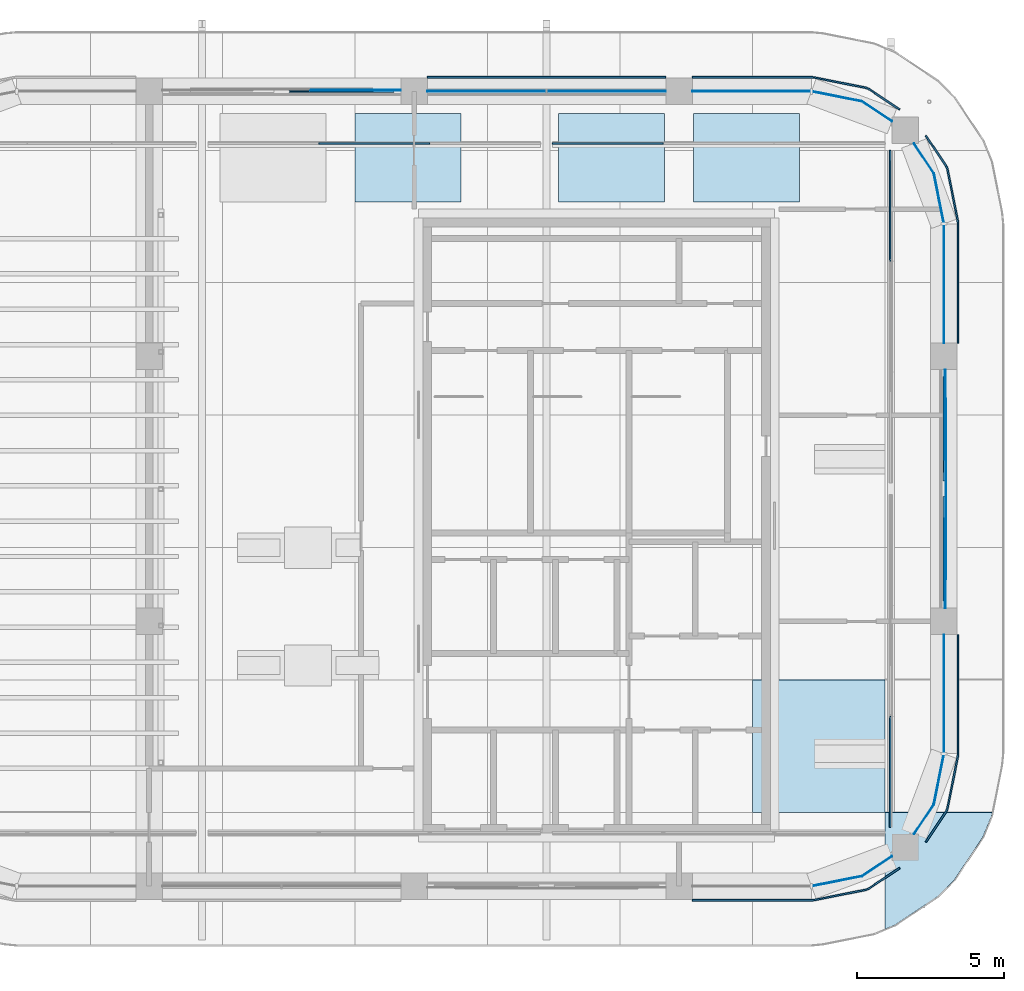
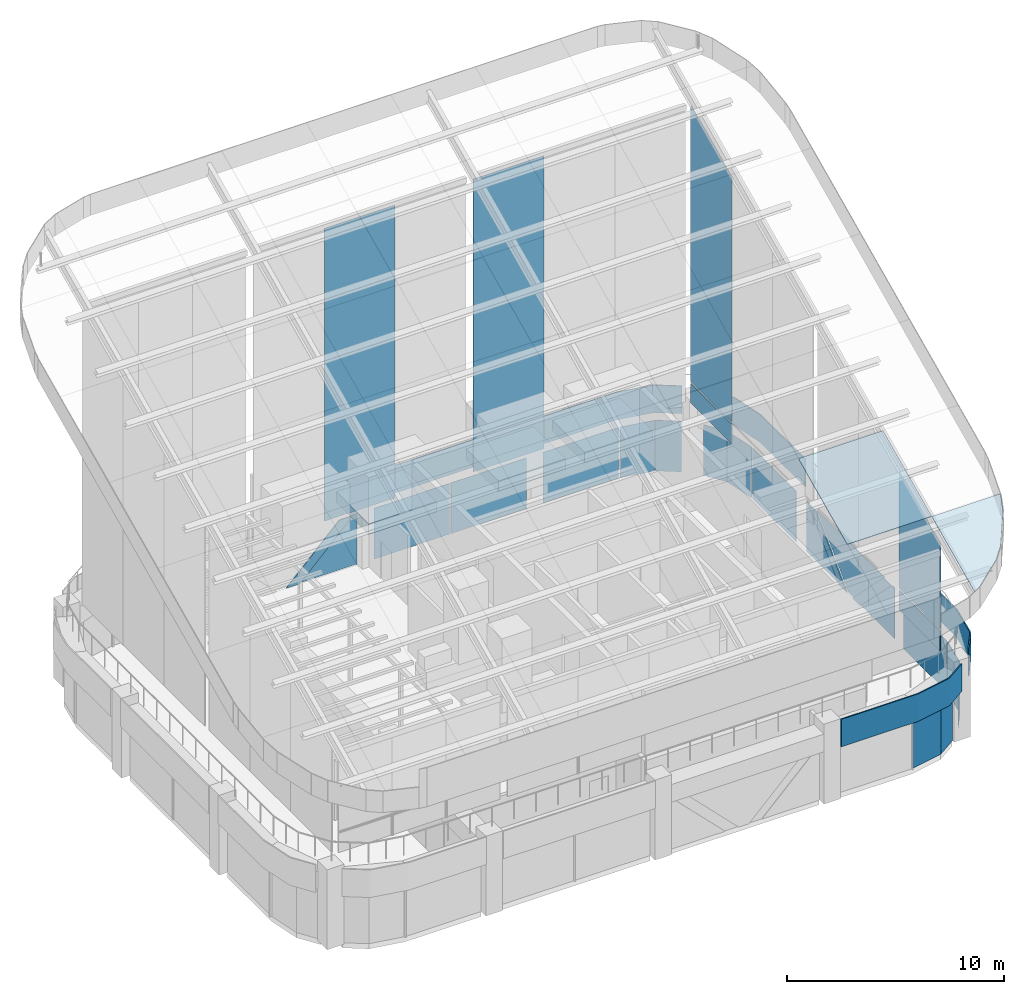
# One storey, part 23 of 31: 29 plates, 3 slabs, 7 elements without a shape of their own.
"""IFC4 building model written with IfcOpenShell, lengths in metres."""

from ifc_helpers import new_model, si_unit, direction, frame, origin, origin_2d, place, context, subcontext, project, spatial, polyline, rectangle, outline, extrude, material, layer, layer_set, type_object, element, aggregate, save


model = new_model("IFC4")

# Units and contexts
model_context = context("Model", 3, precision=1e-05, world=origin(), true_north=direction((0.0, 1.0)))
body_context = subcontext(model_context, "Body", "Model", "MODEL_VIEW")
ifc_project = project(units=[si_unit("LENGTHUNIT", "METRE"), si_unit("AREAUNIT", "SQUARE_METRE"), si_unit("VOLUMEUNIT", "CUBIC_METRE"), si_unit("PLANEANGLEUNIT", "RADIAN"), si_unit("MASSUNIT", "GRAM", prefix="KILO")], contexts=[model_context])

# Site, building, storey
site_placement = place(None, origin())
site = spatial("IfcSite", under=ifc_project, at=site_placement, CompositionType="ELEMENT")
building_placement = place(site_placement, origin())
building = spatial("IfcBuilding", under=site, at=building_placement, Name="Tessera Arch", CompositionType="ELEMENT")
storey_placement = place(building_placement, frame((0.0, 0.0, 320.699951171875)))
storey = spatial("IfcBuildingStorey", under=building, at=storey_placement, Name="L77", CompositionType="ELEMENT", Elevation=320.699951171875)

# Curtain wall, plates
ifc_material_1 = material(Name="CW1 curtain wall")
curtain_wall_type_1 = type_object("IfcCurtainWallType", Name="CW1 curtain wall", PredefinedType="NOTDEFINED", material=ifc_material_1)
curtain_wall_1_placement = place(storey_placement, origin())
curtain_wall_1 = element("IfcCurtainWall", 1, at=curtain_wall_1_placement, inside=storey, type_object=curtain_wall_type_1, Name="CW1 curtain wall N54.18/1 L77", PredefinedType="NOTDEFINED")
ifc_material_2 = material(Name="Clear low-e glass", Category="glass")
ifc_material_3 = material(Name="Clear low-e glass", Category="glass")
ifc_layer_1 = layer(ifc_material_3, 0.028076171875)
ifc_layer_set_1 = layer_set([ifc_layer_1], Name="CW1 glass panel")
plate_type_1 = type_object("IfcPlateType", Name="CW1 glass panel", PredefinedType="CURTAIN_PANEL", material=ifc_layer_set_1)
plate_1_placement = place(storey_placement, frame((42.5400390625, 54.0, 0.0), z_axis=(0.0, 0.0, 1.0), x_axis=(-1.0, 0.0, 0.0)))
plate_1 = element("IfcPlate", 2, at=plate_1_placement, type_object=plate_type_1, material=ifc_material_2, Name="CW1 glass panel N54.18/1 1.1.1", PredefinedType="CURTAIN_PANEL", context=body_context, shape_type="SweptSolid", body=[
    extrude(rectangle(XDim=4.02001953125, YDim=0.028076171875, at=origin_2d()), origin(), (0.0, 0.0, 1.0), 2.85009765625),
])
plate_2_placement = place(storey_placement, frame((38.4599609375, 54.0, 0.0), z_axis=(0.0, 0.0, 1.0), x_axis=(-1.0, 0.0, 0.0)))
plate_2 = element("IfcPlate", 3, at=plate_2_placement, type_object=plate_type_1, material=ifc_material_2, Name="CW1 glass panel N54.18/1 1.2.1", PredefinedType="CURTAIN_PANEL", context=body_context, shape_type="SweptSolid", body=[
    extrude(rectangle(XDim=4.02001953125, YDim=0.028076171875, at=origin_2d()), origin(), (0.0, 0.0, 1.0), 2.85009765625),
])
ifc_material_4 = material(Name="Pale anodised aluminium panel", Category="aluminium")
ifc_layer_2 = layer(ifc_material_4, 0.06005859375)
ifc_layer_set_2 = layer_set([ifc_layer_2], Name="CW1 spandrel panel")
plate_type_2 = type_object("IfcPlateType", Name="CW1 spandrel panel", PredefinedType="CURTAIN_PANEL", material=ifc_layer_set_2)
plate_3_placement = place(storey_placement, frame((40.5, 54.47998046875, 2.9501953125), z_axis=(0.0, 0.0, 1.0), x_axis=(-1.0, 0.0, 0.0)))
plate_3 = element("IfcPlate", 4, at=plate_3_placement, type_object=plate_type_2, Name="CW1 spandrel panel N54.18/1", PredefinedType="CURTAIN_PANEL", context=body_context, shape_type="SweptSolid", body=[
    extrude(rectangle(XDim=8.10009765625, YDim=0.06005859375, at=origin_2d()), origin(), (0.0, 0.0, 1.0), 1.550048828125),
])
aggregate(curtain_wall_1, [plate_1, plate_2, plate_3])

ifc_material_5 = material(Name="CW2 curtain wall")
curtain_wall_type_2 = type_object("IfcCurtainWallType", Name="CW2 curtain wall", PredefinedType="NOTDEFINED", material=ifc_material_5)
curtain_wall_2_placement = place(storey_placement, origin())
curtain_wall_2 = element("IfcCurtainWall", 5, at=curtain_wall_2_placement, inside=storey, type_object=curtain_wall_type_2, Name="CW2 curtain wall E54.27/1 L77", PredefinedType="NOTDEFINED")
ifc_material_6 = material(Name="Clear low-e glass", Category="glass")
ifc_layer_3 = layer(ifc_material_6, 0.028076171875)
ifc_layer_set_3 = layer_set([ifc_layer_3], Name="CW2 glass panel")
plate_type_3 = type_object("IfcPlateType", Name="CW2 glass panel", PredefinedType="CURTAIN_PANEL", material=ifc_layer_set_3)
plate_4_placement = place(storey_placement, frame((54.0, 47.455078125, 0.0), z_axis=(0.0, 0.0, 1.0), x_axis=(0.0, 1.0, 0.0)))
plate_4 = element("IfcPlate", 6, at=plate_4_placement, type_object=plate_type_3, material=ifc_material_2, Name="CW2 glass panel E54.27/1 1.1", PredefinedType="CURTAIN_PANEL", context=body_context, shape_type="SweptSolid", body=[
    extrude(rectangle(XDim=4.010009765625, YDim=0.028076171875, at=origin_2d()), origin(), (0.0, 0.0, 1.0), 2.85009765625),
])
plate_5_placement = place(storey_placement, origin())
plate_5 = element("IfcPlate", 7, at=plate_5_placement, type_object=plate_type_3, material=ifc_material_2, Name="CW2 curved glass panel E54.27/1 2.1", PredefinedType="CURTAIN_PANEL", context=body_context, shape_type="SweptSolid", body=[
    extrude(outline(polyline([(53.644287109375, 51.216552734375), (53.978515625, 49.53662109375), (54.005859375, 49.5419921875), (53.670654296875, 51.2275390625), (52.994384765625, 52.23974609375), (52.970947265625, 52.22412109375), (53.644287109375, 51.216552734375)])), origin(), (0.0, 0.0, 1.0), 2.85009765625),
])

curtain_wall_3_placement = place(storey_placement, origin())
curtain_wall_3 = element("IfcCurtainWall", 8, at=curtain_wall_3_placement, inside=storey, type_object=curtain_wall_type_2, Name="CW2 curtain wall N54.18/0 L77", PredefinedType="NOTDEFINED")
plate_6_placement = place(storey_placement, frame((47.455078125, 54.0, 0.0), z_axis=(0.0, 0.0, 1.0), x_axis=(-1.0, 0.0, 0.0)))
plate_6 = element("IfcPlate", 9, at=plate_6_placement, type_object=plate_type_3, material=ifc_material_2, Name="CW2 glass panel N54.18/0 1.1", PredefinedType="CURTAIN_PANEL", context=body_context, shape_type="SweptSolid", body=[
    extrude(rectangle(XDim=4.010009765625, YDim=0.028076171875, at=origin_2d()), origin(), (0.0, 0.0, 1.0), 2.85009765625),
])
plate_7_placement = place(storey_placement, origin())
plate_7 = element("IfcPlate", 10, at=plate_7_placement, type_object=plate_type_3, material=ifc_material_2, Name="CW2 curved glass panel N54.18/0 2.1", PredefinedType="CURTAIN_PANEL", context=body_context, shape_type="SweptSolid", body=[
    extrude(outline(polyline([(51.216552734375, 53.644287109375), (52.22412109375, 52.970947265625), (52.23974609375, 52.994384765625), (51.2275390625, 53.670654296875), (49.5419921875, 54.005859375), (49.53662109375, 53.978515625), (51.216552734375, 53.644287109375)])), origin(), (0.0, 0.0, 1.0), 2.85009765625),
])

# Curtain wall, plate
curtain_wall_4_placement = place(storey_placement, origin())
curtain_wall_4 = element("IfcCurtainWall", 11, at=curtain_wall_4_placement, inside=storey, type_object=curtain_wall_type_2, Name="CW2 curtain wall S27.18/3 L77", PredefinedType="NOTDEFINED")
plate_8_placement = place(storey_placement, origin())
plate_8 = element("IfcPlate", 12, at=plate_8_placement, type_object=plate_type_3, material=ifc_material_2, Name="CW2 curved glass panel S27.18/3 2.1", PredefinedType="CURTAIN_PANEL", context=body_context, shape_type="SweptSolid", body=[
    extrude(outline(polyline([(51.216552734375, 27.355712890625), (49.53662109375, 27.021484375), (49.5419921875, 26.994140625), (51.2275390625, 27.329345703125), (52.23974609375, 28.005615234375), (52.22412109375, 28.029052734375), (51.216552734375, 27.355712890625)])), origin(), (0.0, 0.0, 1.0), 2.85009765625),
])

# Curtain wall, plates
curtain_wall_5_placement = place(storey_placement, origin())
curtain_wall_5 = element("IfcCurtainWall", 13, at=curtain_wall_5_placement, inside=storey, type_object=curtain_wall_type_2, Name="CW2 curtain wall E54.27/2 L77", PredefinedType="NOTDEFINED")
plate_9_placement = place(storey_placement, frame((54.0, 33.544921875, 0.0), z_axis=(0.0, 0.0, 1.0), x_axis=(0.0, 1.0, 0.0)))
plate_9 = element("IfcPlate", 14, at=plate_9_placement, type_object=plate_type_3, material=ifc_material_2, Name="CW2 glass panel E54.27/2 1.1", PredefinedType="CURTAIN_PANEL", context=body_context, shape_type="SweptSolid", body=[
    extrude(rectangle(XDim=4.010009765625, YDim=0.028076171875, at=origin_2d()), origin(), (0.0, 0.0, 1.0), 2.85009765625),
])
plate_10_placement = place(storey_placement, origin())
plate_10 = element("IfcPlate", 15, at=plate_10_placement, type_object=plate_type_3, material=ifc_material_2, Name="CW2 curved glass panel E54.27/2 2.1", PredefinedType="CURTAIN_PANEL", context=body_context, shape_type="SweptSolid", body=[
    extrude(outline(polyline([(53.644287109375, 29.783447265625), (52.970947265625, 28.77587890625), (52.994384765625, 28.76025390625), (53.670654296875, 29.7724609375), (54.005859375, 31.4580078125), (53.978515625, 31.46337890625), (53.644287109375, 29.783447265625)])), origin(), (0.0, 0.0, 1.0), 2.85009765625),
])

# Plate
ifc_material_7 = material(Name="Pale anodised aluminium panel", Category="aluminium")
ifc_layer_4 = layer(ifc_material_7, 0.06005859375)
ifc_layer_set_4 = layer_set([ifc_layer_4], Name="CW2 spandrel panel")
plate_type_4 = type_object("IfcPlateType", Name="CW2 spandrel panel", PredefinedType="CURTAIN_PANEL", material=ifc_layer_set_4)
plate_11_placement = place(storey_placement, frame((0.0, 0.0, 2.949951171875)))
plate_11 = element("IfcPlate", 16, at=plate_11_placement, type_object=plate_type_4, Name="CW2 spandrel panel E54.27/1", PredefinedType="CURTAIN_PANEL", context=body_context, shape_type="SweptSolid", body=[
    extrude(outline(polyline([(54.449951171875, 49.499267578125), (54.449951171875, 45.449951171875), (54.510009765625, 45.449951171875), (54.510009765625, 49.500732421875), (54.507568359375, 49.550048828125), (54.500244140625, 49.598876953125), (54.157470703125, 51.322265625), (54.1455078125, 51.3701171875), (54.128662109375, 51.417236328125), (54.107421875, 51.462646484375), (54.08203125, 51.5048828125), (53.40673828125, 52.515380859375), (53.35693359375, 52.48193359375), (54.03125, 51.47265625), (54.054443359375, 51.434326171875), (54.0732421875, 51.394287109375), (54.088134765625, 51.352783203125), (54.09912109375, 51.30908203125), (54.441162109375, 49.588623046875), (54.44775390625, 49.544189453125), (54.449951171875, 49.499267578125)])), origin(), (0.0, 0.0, 1.0), 1.550048828125),
])

aggregate(curtain_wall_2, [plate_4, plate_5, plate_11])

plate_12_placement = place(storey_placement, frame((0.0, 0.0, 2.949951171875)))
plate_12 = element("IfcPlate", 17, at=plate_12_placement, type_object=plate_type_4, Name="CW2 spandrel panel N54.18/0", PredefinedType="CURTAIN_PANEL", context=body_context, shape_type="SweptSolid", body=[
    extrude(outline(polyline([(51.47265625, 54.03125), (52.48193359375, 53.35693359375), (52.515380859375, 53.40673828125), (51.5048828125, 54.08203125), (51.462646484375, 54.107421875), (51.417236328125, 54.128662109375), (51.3701171875, 54.1455078125), (51.322265625, 54.157470703125), (49.598876953125, 54.500244140625), (49.550048828125, 54.507568359375), (49.500732421875, 54.510009765625), (45.449951171875, 54.510009765625), (45.449951171875, 54.449951171875), (49.499267578125, 54.449951171875), (49.544189453125, 54.44775390625), (49.588623046875, 54.441162109375), (51.30908203125, 54.09912109375), (51.352783203125, 54.088134765625), (51.394287109375, 54.0732421875), (51.434326171875, 54.054443359375), (51.47265625, 54.03125)])), origin(), (0.0, 0.0, 1.0), 1.550048828125),
])

aggregate(curtain_wall_3, [plate_6, plate_7, plate_12])

plate_13_placement = place(storey_placement, frame((0.0, 0.0, 2.949951171875)))
plate_13 = element("IfcPlate", 18, at=plate_13_placement, type_object=plate_type_4, Name="CW2 spandrel panel S27.18/3", PredefinedType="CURTAIN_PANEL", context=body_context, shape_type="SweptSolid", body=[
    extrude(outline(polyline([(49.499267578125, 26.550048828125), (45.449951171875, 26.550048828125), (45.449951171875, 26.489990234375), (49.500732421875, 26.489990234375), (49.550048828125, 26.492431640625), (49.598876953125, 26.499755859375), (51.322265625, 26.842529296875), (51.3701171875, 26.8544921875), (51.417236328125, 26.871337890625), (51.462646484375, 26.892578125), (51.5048828125, 26.91796875), (52.515380859375, 27.59326171875), (52.48193359375, 27.64306640625), (51.47265625, 26.96875), (51.434326171875, 26.945556640625), (51.394287109375, 26.9267578125), (51.352783203125, 26.911865234375), (51.30908203125, 26.90087890625), (49.588623046875, 26.558837890625), (49.544189453125, 26.55224609375), (49.499267578125, 26.550048828125)])), origin(), (0.0, 0.0, 1.0), 1.550048828125),
])

aggregate(curtain_wall_4, [plate_8, plate_13])

plate_14_placement = place(storey_placement, frame((0.0, 0.0, 2.949951171875)))
plate_14 = element("IfcPlate", 19, at=plate_14_placement, type_object=plate_type_4, Name="CW2 spandrel panel E54.27/2", PredefinedType="CURTAIN_PANEL", context=body_context, shape_type="SweptSolid", body=[
    extrude(outline(polyline([(54.03125, 29.52734375), (53.35693359375, 28.51806640625), (53.40673828125, 28.484619140625), (54.08203125, 29.4951171875), (54.107421875, 29.537353515625), (54.128662109375, 29.582763671875), (54.1455078125, 29.6298828125), (54.157470703125, 29.677734375), (54.500244140625, 31.401123046875), (54.507568359375, 31.449951171875), (54.510009765625, 31.499267578125), (54.510009765625, 35.550048828125), (54.449951171875, 35.550048828125), (54.449951171875, 31.500732421875), (54.44775390625, 31.455810546875), (54.441162109375, 31.411376953125), (54.09912109375, 29.69091796875), (54.088134765625, 29.647216796875), (54.0732421875, 29.605712890625), (54.054443359375, 29.565673828125), (54.03125, 29.52734375)])), origin(), (0.0, 0.0, 1.0), 1.550048828125),
])

aggregate(curtain_wall_5, [plate_9, plate_10, plate_14])

# Curtain wall, plates
ifc_material_8 = material(Name="CW3 curtain wall")
curtain_wall_type_3 = type_object("IfcCurtainWallType", Name="CW3 curtain wall", PredefinedType="NOTDEFINED", material=ifc_material_8)
curtain_wall_6_placement = place(storey_placement, origin())
curtain_wall_6 = element("IfcCurtainWall", 20, at=curtain_wall_6_placement, inside=storey, type_object=curtain_wall_type_3, Name="CW3 curtain wall E54.27/0 L77", PredefinedType="NOTDEFINED")
ifc_material_9 = material(Name="Pale anodised aluminium panel", Category="aluminium")
ifc_layer_5 = layer(ifc_material_9, 0.06005859375)
ifc_layer_set_5 = layer_set([ifc_layer_5], Name="CW3 diagonal panel")
plate_type_5 = type_object("IfcPlateType", Name="CW3 diagonal panel", PredefinedType="CURTAIN_PANEL", material=ifc_layer_set_5)
plate_15_placement = place(storey_placement, frame((54.030029296875, 44.3095703125, 2.85009765625), z_axis=(1.0, 0.0, 0.0), x_axis=(0.0, -1.0, 0.0)))
plate_15 = element("IfcPlate", 21, at=plate_15_placement, type_object=plate_type_5, Name="CW3 diagonal panel E54.27/0 1", PredefinedType="CURTAIN_PANEL", context=body_context, shape_type="SweptSolid", body=[
    extrude(outline(polyline([(0.0, 0.0), (0.7119140625, 0.0), (3.54443359375, 2.85009765625), (2.83251953125, 2.85009765625), (0.0, 0.0)])), origin(), (0.0, 0.0, -1.0), 0.06005859375),
])
plate_16_placement = place(storey_placement, frame((54.030029296875, 37.40234375, 2.85009765625), z_axis=(1.0, 0.0, 0.0), x_axis=(0.0, -1.0, 0.0)))
plate_16 = element("IfcPlate", 22, at=plate_16_placement, type_object=plate_type_5, Name="CW3 diagonal panel E54.27/0 2", PredefinedType="CURTAIN_PANEL", context=body_context, shape_type="SweptSolid", body=[
    extrude(outline(polyline([(0.0, 0.0), (0.7119140625, 0.0), (-2.12060546875, 2.85009765625), (-2.83251953125, 2.85009765625), (0.0, 0.0)])), origin(), (0.0, 0.0, -1.0), 0.06005859375),
])

# Curtain wall, plate
curtain_wall_7_placement = place(storey_placement, origin())
curtain_wall_7 = element("IfcCurtainWall", 23, at=curtain_wall_7_placement, inside=storey, type_object=curtain_wall_type_3, Name="CW3 curtain wall N54.18/2 L77", PredefinedType="NOTDEFINED")
plate_17_placement = place(storey_placement, frame((34.59765625, 54.030029296875, 2.85009765625), z_axis=(0.0, 1.0, 0.0), x_axis=(1.0, 0.0, 0.0)))
plate_17 = element("IfcPlate", 24, at=plate_17_placement, type_object=plate_type_5, Name="CW3 diagonal panel N54.18/2 2", PredefinedType="CURTAIN_PANEL", context=body_context, shape_type="SweptSolid", body=[
    extrude(outline(polyline([(0.0, 0.0), (0.7119140625, 0.0), (-2.12060546875, 2.85009765625), (-2.83251953125, 2.85009765625), (0.0, 0.0)])), origin(), (0.0, 0.0, -1.0), 0.06005859375),
])

# Plate
ifc_material_10 = material(Name="Clear low-e glass", Category="glass")
ifc_layer_6 = layer(ifc_material_10, 0.028076171875)
ifc_layer_set_6 = layer_set([ifc_layer_6], Name="CW3 glass panel")
plate_type_6 = type_object("IfcPlateType", Name="CW3 glass panel", PredefinedType="CURTAIN_PANEL", material=ifc_layer_set_6)
plate_18_placement = place(storey_placement, frame((54.05810546875, 36.449951171875, 0.0), z_axis=(1.0, 0.0, 0.0), x_axis=(0.0, 1.0, 0.0)))
plate_18 = element("IfcPlate", 25, at=plate_18_placement, type_object=plate_type_6, material=ifc_material_2, Name="CW3 triangulated glass panel E54.27/0 1", PredefinedType="CURTAIN_PANEL", context=body_context, shape_type="SweptSolid", body=[
    extrude(outline(polyline([(0.0, 0.0), (3.072998046875, 0.0), (0.240478515625, 2.85009765625), (0.0, 2.85009765625), (0.0, 0.0)])), origin(), (0.0, 0.0, -1.0), 0.028076171875),
])

plate_19_placement = place(storey_placement, frame((54.0859375, 43.59765625, 2.85009765625), z_axis=(1.0, 0.0, 0.0), x_axis=(0.0, -1.0, 0.0)))
plate_19 = element("IfcPlate", 26, at=plate_19_placement, type_object=plate_type_6, material=ifc_material_2, Name="CW3 triangulated glass panel E54.27/0 2", PredefinedType="CURTAIN_PANEL", context=body_context, shape_type="SweptSolid", body=[
    extrude(outline(polyline([(0.0, 0.0), (6.1953125, 0.0), (3.36279296875, 2.85009765625), (2.83251953125, 2.85009765625), (0.0, 0.0)])), origin(), (0.0, 0.0, -1.0), 0.028076171875),
])

plate_20_placement = place(storey_placement, frame((54.05810546875, 44.550048828125, 2.85009765625), z_axis=(1.0, 0.0, 0.0), x_axis=(0.0, -1.0, 0.0)))
plate_20 = element("IfcPlate", 27, at=plate_20_placement, type_object=plate_type_6, material=ifc_material_2, Name="CW3 triangulated glass panel E54.27/0 3", PredefinedType="CURTAIN_PANEL", context=body_context, shape_type="SweptSolid", body=[
    extrude(outline(polyline([(0.0, 0.0), (0.240478515625, 0.0), (3.072998046875, 2.85009765625), (0.0, 2.85009765625), (0.0, 0.0)])), origin(), (0.0, 0.0, -1.0), 0.028076171875),
])

aggregate(curtain_wall_6, [plate_18, plate_19, plate_20, plate_15, plate_16])

plate_21_placement = place(storey_placement, frame((35.550048828125, 54.05810546875, 0.0), z_axis=(0.0, 1.0, 0.0), x_axis=(-1.0, 0.0, 0.0)))
plate_21 = element("IfcPlate", 28, at=plate_21_placement, type_object=plate_type_6, material=ifc_material_2, Name="CW3 triangulated glass panel N54.18/2 1", PredefinedType="CURTAIN_PANEL", context=body_context, shape_type="SweptSolid", body=[
    extrude(outline(polyline([(0.0, 0.0), (3.072998046875, 0.0), (0.240478515625, 2.85009765625), (0.0, 2.85009765625), (0.0, 0.0)])), origin(), (0.0, 0.0, -1.0), 0.028076171875),
])

aggregate(curtain_wall_7, [plate_21, plate_17])

# Plates
ifc_material_11 = material(Name="Clear low-e laminated glass", Category="glass")
ifc_layer_7 = layer(ifc_material_11, 0.0439453125)
ifc_layer_set_7 = layer_set([ifc_layer_7], Name="Canopy panel clear glass")
plate_type_7 = type_object("IfcPlateType", Name="Canopy panel clear glass", PredefinedType="SHEET", material=ifc_layer_set_7)
plate_22_placement = place(storey_placement, frame((52.0, 29.5, 11.806884765625), z_axis=(0.0, -0.422618958231, 0.906307462258), x_axis=(0.0, 0.906307462258, 0.422618958231)))
element("IfcPlate", 29, at=plate_22_placement, inside=storey, type_object=plate_type_7, Name="CANOPY panel 8-2", PredefinedType="SHEET", context=body_context, shape_type="SweptSolid", body=[
    extrude(outline(polyline([(0.0, 0.0), (4.965202414630578, 0.0), (4.965202414630578, 4.5), (0.0, 4.5), (0.0, 0.0)])), origin(), (0.0, 0.0, -1.0), 0.0439453125),
])
plate_23_placement = place(storey_placement, frame((55.641357421875, 29.5, 11.806884765625), z_axis=(-2.7038413e-05, -0.422616991053, 0.906308379164), x_axis=(-0.999999999634, 1.1426893e-05, -2.450514e-05)))
element("IfcPlate", 30, at=plate_23_placement, inside=storey, type_object=plate_type_7, Name="CANOPY panel 9-1", PredefinedType="SHEET", context=body_context, shape_type="SweptSolid", body=[
    extrude(outline(polyline([(0.0, 0.0), (3.641357420543946, 6.168699418114204e-21), (3.641357422430311, 4.367746859289709), (3.3081054690033636, 4.21527092460394), (1.8481445313925542, 3.139089911249007), (1.2963867182055142, 2.530277595235521), (0.3210449187530603, 0.9193393877508098), (0.022460934496026312, 0.12386276628077914), (0.0, 0.0)])), origin(), (0.0, 0.0, -1.0), 0.0439453125),
])
ifc_material_12 = material(Name="Clear low-e laminated glass", Category="glass")
ifc_layer_8 = layer(ifc_material_12, 0.050048828125)
ifc_layer_set_8 = layer_set([ifc_layer_8], Name="Crown glazing panel")
plate_type_8 = type_object("IfcPlateType", Name="Crown glazing panel", PredefinedType="SHEET", material=ifc_layer_set_8)
plate_24_placement = place(storey_placement, frame((32.7666015625, 52.199951171875, 4.5), z_axis=(0.0, -1.0, 0.0), x_axis=(1.0, 0.0, 0.0)))
element("IfcPlate", 31, at=plate_24_placement, inside=storey, type_object=plate_type_8, Name="CROWN screen N5-2", PredefinedType="SHEET", context=body_context, shape_type="SweptSolid", body=[
    extrude(outline(polyline([(0.0, 0.0), (3.7666015625, 0.0), (3.7666015625, 16.467529296875), (0.0, 16.467529296875), (0.0, 0.0)])), origin(), (0.0, 0.0, -1.0), 0.050048828125),
])
plate_25_placement = place(storey_placement, frame((40.699951171875, 52.199951171875, 4.5), z_axis=(0.0, -1.0, 0.0), x_axis=(1.0, 0.0, 0.0)))
element("IfcPlate", 32, at=plate_25_placement, inside=storey, type_object=plate_type_8, Name="CROWN screen N6-1", PredefinedType="SHEET", context=body_context, shape_type="SweptSolid", body=[
    extrude(outline(polyline([(0.0, 0.0), (3.766845703125, 0.0), (3.766845703125, 16.467529296875), (0.0, 16.467529296875), (0.0, 0.0)])), origin(), (0.0, 0.0, -1.0), 0.050048828125),
])
plate_26_placement = place(storey_placement, frame((52.199951171875, 29.0, 4.5), z_axis=(1.0, 0.0, 0.0), x_axis=(0.0, 1.0, 0.0)))
element("IfcPlate", 33, at=plate_26_placement, inside=storey, type_object=plate_type_8, Name="CROWN screen E9-1", PredefinedType="SHEET", context=body_context, shape_type="SweptSolid", body=[
    extrude(outline(polyline([(0.0, 0.0), (3.7666015625, 0.0), (3.7666015625, 1.10009765625), (0.0, 1.10009765625), (0.0, 0.0)])), origin(), (0.0, 0.0, -1.0), 0.050048828125),
])
plate_27_placement = place(storey_placement, frame((52.199951171875, 29.0, 5.714111328125), z_axis=(1.0, 0.0, 0.0), x_axis=(0.0, 1.0, 0.0)))
element("IfcPlate", 34, at=plate_27_placement, inside=storey, type_object=plate_type_8, Name="CROWN screen E9-1 head", PredefinedType="SHEET", context=body_context, shape_type="SweptSolid", body=[
    extrude(outline(polyline([(0.0, 0.0), (3.7666015625, 0.0), (3.7666015625, 6.542724609375), (0.0, 4.786376953125), (0.0, 0.0)])), origin(), (0.0, 0.0, -1.0), 0.050048828125),
])
plate_28_placement = place(storey_placement, frame((52.199951171875, 48.2333984375, 4.5), z_axis=(1.0, 0.0, 0.0), x_axis=(0.0, 1.0, 0.0)))
element("IfcPlate", 35, at=plate_28_placement, inside=storey, type_object=plate_type_8, Name="CROWN screen E10-3", PredefinedType="SHEET", context=body_context, shape_type="SweptSolid", body=[
    extrude(outline(polyline([(0.0, 0.0), (3.7666015625, 0.0), (3.7666015625, 1.10009765625), (0.0, 1.10009765625), (0.0, 0.0)])), origin(), (0.0, 0.0, -1.0), 0.050048828125),
])
plate_29_placement = place(storey_placement, frame((52.199951171875, 48.2333984375, 5.714111328125), z_axis=(1.0, 0.0, 0.0), x_axis=(0.0, 1.0, 0.0)))
element("IfcPlate", 36, at=plate_29_placement, inside=storey, type_object=plate_type_8, Name="CROWN screen E10-3 head", PredefinedType="SHEET", context=body_context, shape_type="SweptSolid", body=[
    extrude(outline(polyline([(0.0, 0.0), (3.7666015625, 0.0), (3.7666015625, 15.511474609375), (0.0, 13.755126953125), (0.0, 0.0)])), origin(), (0.0, 0.0, -1.0), 0.050048828125),
])

# Slabs
ifc_material_13 = material(Name="Concrete C40/50", Category="concrete")
ifc_layer_9 = layer(ifc_material_13, 0.60009765625)
ifc_layer_set_9 = layer_set([ifc_layer_9], Name="Plant plinth")
slab_type = type_object("IfcSlabType", Name="Plant plinth", PredefinedType="USERDEFINED", material=ifc_layer_set_9)
slab_1_placement = place(storey_placement, frame((0.0, 0.0, 4.5)))
element("IfcSlab", 37, at=slab_1_placement, inside=storey, type_object=slab_type, Name="Roof plant plinth 2", ObjectType="PAVING", PredefinedType="USERDEFINED", context=body_context, shape_type="SweptSolid", body=[
    extrude(outline(polyline([(34.0, 50.25), (37.60009765625, 50.25), (37.60009765625, 53.25), (34.0, 53.25), (34.0, 50.25)])), origin(), (0.0, 0.0, 1.0), 0.60009765625),
])
slab_2_placement = place(storey_placement, frame((0.0, 0.0, 4.5)))
element("IfcSlab", 38, at=slab_2_placement, inside=storey, type_object=slab_type, Name="Roof plant plinth 3", ObjectType="PAVING", PredefinedType="USERDEFINED", context=body_context, shape_type="SweptSolid", body=[
    extrude(outline(polyline([(40.89990234375, 50.25), (44.5, 50.25), (44.5, 53.25), (40.89990234375, 53.25), (40.89990234375, 50.25)])), origin(), (0.0, 0.0, 1.0), 0.60009765625),
])
slab_3_placement = place(storey_placement, frame((0.0, 0.0, 4.5)))
element("IfcSlab", 39, at=slab_3_placement, inside=storey, type_object=slab_type, Name="Roof plant plinth 4", ObjectType="PAVING", PredefinedType="USERDEFINED", context=body_context, shape_type="SweptSolid", body=[
    extrude(outline(polyline([(45.5, 50.25), (49.10009765625, 50.25), (49.10009765625, 53.25), (45.5, 53.25), (45.5, 50.25)])), origin(), (0.0, 0.0, 1.0), 0.60009765625),
])

save(model, "model.ifc")
